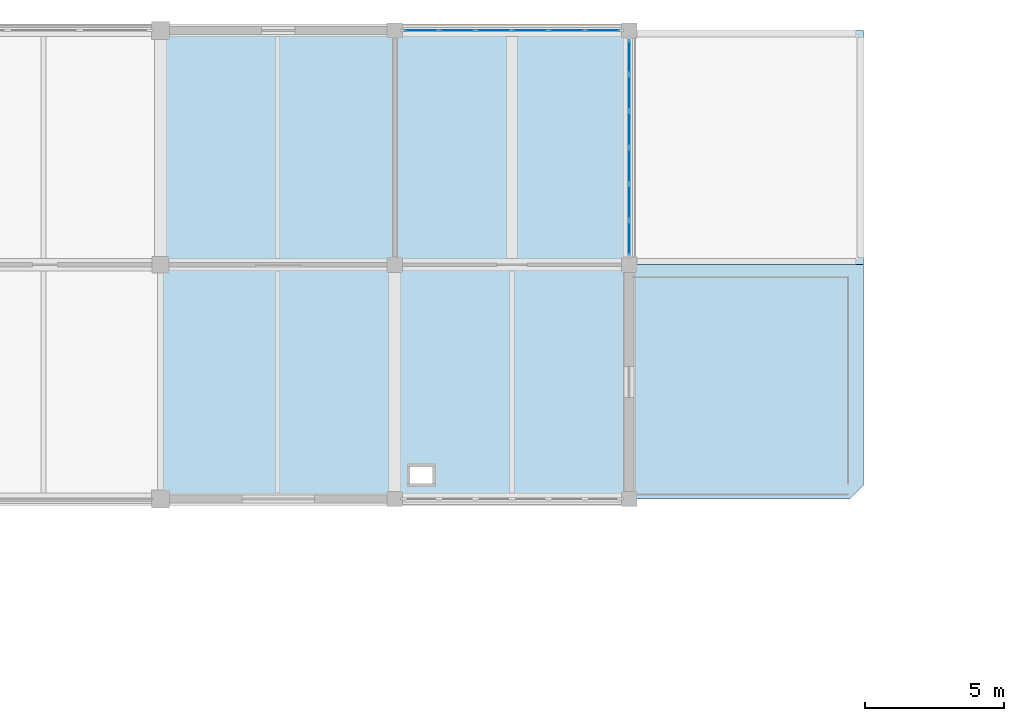
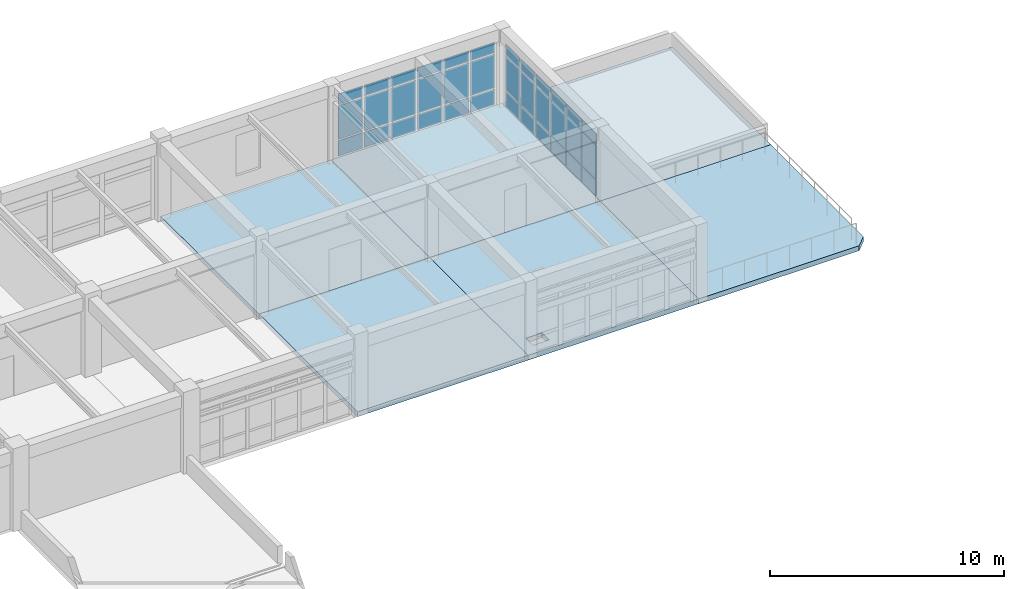
# One storey, part 59 of 74: 36 plates, 6 slabs, 2 elements without a shape of their own.
"""IFC4 building model written with IfcOpenShell, lengths in metres."""

from ifc_helpers import new_model, si_unit, direction, frame, origin, origin_2d, place, context, subcontext, project, spatial, polyline, rectangle, outline, extrude, material, layer, layer_set, type_object, element, aggregate, save


model = new_model("IFC4")

# Units and contexts
model_context = context("Model", 3, precision=1e-05, world=origin(), true_north=direction((0.0, 1.0)))
body_context = subcontext(model_context, "Body", "Model", "MODEL_VIEW")
ifc_project = project(units=[si_unit("LENGTHUNIT", "METRE"), si_unit("AREAUNIT", "SQUARE_METRE"), si_unit("VOLUMEUNIT", "CUBIC_METRE"), si_unit("PLANEANGLEUNIT", "RADIAN"), si_unit("MASSUNIT", "GRAM", prefix="KILO")], contexts=[model_context])

# Site, building, storey
site_placement = place(None, origin())
site = spatial("IfcSite", under=ifc_project, at=site_placement, CompositionType="ELEMENT")
building_placement = place(site_placement, origin())
building = spatial("IfcBuilding", under=site, at=building_placement, Name="Porcellanite Civic Hall", CompositionType="ELEMENT")
storey_placement = place(building_placement, frame((0.0, 0.0, 14.760009765625)))
storey = spatial("IfcBuildingStorey", under=building, at=storey_placement, Name="L03", CompositionType="ELEMENT", Elevation=14.760009765625)

# Curtain wall, plates
ifc_material_1 = material(Name="Anodised aluminium and solar laminated glass", Category="aluminium")
ifc_layer_1 = layer(ifc_material_1, 0.179931640625)
ifc_layer_set_1 = layer_set([ifc_layer_1], Name="Anodised aluminium and solar laminated glass")
curtain_wall_type = type_object("IfcCurtainWallType", Name="CW-SYS02", PredefinedType="NOTDEFINED", material=ifc_layer_set_1)
curtain_wall_1_placement = place(storey_placement, origin())
curtain_wall_1 = element("IfcCurtainWall", 1, at=curtain_wall_1_placement, inside=storey, type_object=curtain_wall_type, Name="Curtain wall CW-225", PredefinedType="NOTDEFINED")
ifc_material_2 = material(Name="Cyclone laminated solar-control low-E glass", Category="glass")
ifc_layer_2 = layer(ifc_material_2, 0.02587890625)
ifc_layer_set_2 = layer_set([ifc_layer_2], Name="Cyclone laminated solar-control low-E glass")
plate_type = type_object("IfcPlateType", Name="CWP-02", PredefinedType="CURTAIN_PANEL", material=ifc_layer_set_2)
plate_1_placement = place(storey_placement, frame((143.748779296875, 117.60009765625, 0.06494140625), z_axis=(0.0, 0.0, 1.0), x_axis=(1.0, 0.0, 0.0)))
plate_1 = element("IfcPlate", 2, at=plate_1_placement, type_object=plate_type, Name="CW-225 panel 1.1", PredefinedType="CURTAIN_PANEL", context=body_context, shape_type="SweptSolid", body=[
    extrude(rectangle(XDim=1.195556640625, YDim=0.02587890625, at=origin_2d()), origin(), (0.0, 0.0, 1.0), 0.802490234375),
])
plate_2_placement = place(storey_placement, frame((143.748779296875, 117.60009765625, 0.9326171875), z_axis=(0.0, 0.0, 1.0), x_axis=(1.0, 0.0, 0.0)))
plate_2 = element("IfcPlate", 3, at=plate_2_placement, type_object=plate_type, Name="CW-225 panel 1.2", PredefinedType="CURTAIN_PANEL", context=body_context, shape_type="SweptSolid", body=[
    extrude(rectangle(XDim=1.195556640625, YDim=0.02587890625, at=origin_2d()), origin(), (0.0, 0.0, 1.0), 1.7548828125),
])
plate_3_placement = place(storey_placement, frame((143.748779296875, 117.60009765625, 2.75244140625), z_axis=(0.0, 0.0, 1.0), x_axis=(1.0, 0.0, 0.0)))
plate_3 = element("IfcPlate", 4, at=plate_3_placement, type_object=plate_type, Name="CW-225 panel 1.3", PredefinedType="CURTAIN_PANEL", context=body_context, shape_type="SweptSolid", body=[
    extrude(rectangle(XDim=1.195556640625, YDim=0.02587890625, at=origin_2d()), origin(), (0.0, 0.0, 1.0), 0.552490234375),
])
plate_4_placement = place(storey_placement, frame((145.0380859375, 117.60009765625, 0.06494140625), z_axis=(0.0, 0.0, 1.0), x_axis=(1.0, 0.0, 0.0)))
plate_4 = element("IfcPlate", 5, at=plate_4_placement, type_object=plate_type, Name="CW-225 panel 2.1", PredefinedType="CURTAIN_PANEL", context=body_context, shape_type="SweptSolid", body=[
    extrude(rectangle(XDim=1.23291015625, YDim=0.02587890625, at=origin_2d()), origin(), (0.0, 0.0, 1.0), 0.802490234375),
])
plate_5_placement = place(storey_placement, frame((145.0380859375, 117.60009765625, 0.9326171875), z_axis=(0.0, 0.0, 1.0), x_axis=(1.0, 0.0, 0.0)))
plate_5 = element("IfcPlate", 6, at=plate_5_placement, type_object=plate_type, Name="CW-225 panel 2.2", PredefinedType="CURTAIN_PANEL", context=body_context, shape_type="SweptSolid", body=[
    extrude(rectangle(XDim=1.23291015625, YDim=0.02587890625, at=origin_2d()), origin(), (0.0, 0.0, 1.0), 1.7548828125),
])
plate_6_placement = place(storey_placement, frame((145.0380859375, 117.60009765625, 2.75244140625), z_axis=(0.0, 0.0, 1.0), x_axis=(1.0, 0.0, 0.0)))
plate_6 = element("IfcPlate", 7, at=plate_6_placement, type_object=plate_type, Name="CW-225 panel 2.3", PredefinedType="CURTAIN_PANEL", context=body_context, shape_type="SweptSolid", body=[
    extrude(rectangle(XDim=1.23291015625, YDim=0.02587890625, at=origin_2d()), origin(), (0.0, 0.0, 1.0), 0.552490234375),
])
plate_7_placement = place(storey_placement, frame((146.345947265625, 117.60009765625, 0.06494140625), z_axis=(0.0, 0.0, 1.0), x_axis=(1.0, 0.0, 0.0)))
plate_7 = element("IfcPlate", 8, at=plate_7_placement, type_object=plate_type, Name="CW-225 panel 3.1", PredefinedType="CURTAIN_PANEL", context=body_context, shape_type="SweptSolid", body=[
    extrude(rectangle(XDim=1.23291015625, YDim=0.02587890625, at=origin_2d()), origin(), (0.0, 0.0, 1.0), 0.802490234375),
])
plate_8_placement = place(storey_placement, frame((146.345947265625, 117.60009765625, 0.9326171875), z_axis=(0.0, 0.0, 1.0), x_axis=(1.0, 0.0, 0.0)))
plate_8 = element("IfcPlate", 9, at=plate_8_placement, type_object=plate_type, Name="CW-225 panel 3.2", PredefinedType="CURTAIN_PANEL", context=body_context, shape_type="SweptSolid", body=[
    extrude(rectangle(XDim=1.23291015625, YDim=0.02587890625, at=origin_2d()), origin(), (0.0, 0.0, 1.0), 1.7548828125),
])
plate_9_placement = place(storey_placement, frame((146.345947265625, 117.60009765625, 2.75244140625), z_axis=(0.0, 0.0, 1.0), x_axis=(1.0, 0.0, 0.0)))
plate_9 = element("IfcPlate", 10, at=plate_9_placement, type_object=plate_type, Name="CW-225 panel 3.3", PredefinedType="CURTAIN_PANEL", context=body_context, shape_type="SweptSolid", body=[
    extrude(rectangle(XDim=1.23291015625, YDim=0.02587890625, at=origin_2d()), origin(), (0.0, 0.0, 1.0), 0.552490234375),
])
plate_10_placement = place(storey_placement, frame((147.654052734375, 117.60009765625, 0.06494140625), z_axis=(0.0, 0.0, 1.0), x_axis=(1.0, 0.0, 0.0)))
plate_10 = element("IfcPlate", 11, at=plate_10_placement, type_object=plate_type, Name="CW-225 panel 4.1", PredefinedType="CURTAIN_PANEL", context=body_context, shape_type="SweptSolid", body=[
    extrude(rectangle(XDim=1.23291015625, YDim=0.02587890625, at=origin_2d()), origin(), (0.0, 0.0, 1.0), 0.802490234375),
])
plate_11_placement = place(storey_placement, frame((147.654052734375, 117.60009765625, 0.9326171875), z_axis=(0.0, 0.0, 1.0), x_axis=(1.0, 0.0, 0.0)))
plate_11 = element("IfcPlate", 12, at=plate_11_placement, type_object=plate_type, Name="CW-225 panel 4.2", PredefinedType="CURTAIN_PANEL", context=body_context, shape_type="SweptSolid", body=[
    extrude(rectangle(XDim=1.23291015625, YDim=0.02587890625, at=origin_2d()), origin(), (0.0, 0.0, 1.0), 1.7548828125),
])
plate_12_placement = place(storey_placement, frame((147.654052734375, 117.60009765625, 2.75244140625), z_axis=(0.0, 0.0, 1.0), x_axis=(1.0, 0.0, 0.0)))
plate_12 = element("IfcPlate", 13, at=plate_12_placement, type_object=plate_type, Name="CW-225 panel 4.3", PredefinedType="CURTAIN_PANEL", context=body_context, shape_type="SweptSolid", body=[
    extrude(rectangle(XDim=1.23291015625, YDim=0.02587890625, at=origin_2d()), origin(), (0.0, 0.0, 1.0), 0.552490234375),
])
plate_13_placement = place(storey_placement, frame((148.9619140625, 117.60009765625, 0.06494140625), z_axis=(0.0, 0.0, 1.0), x_axis=(1.0, 0.0, 0.0)))
plate_13 = element("IfcPlate", 14, at=plate_13_placement, type_object=plate_type, Name="CW-225 panel 5.1", PredefinedType="CURTAIN_PANEL", context=body_context, shape_type="SweptSolid", body=[
    extrude(rectangle(XDim=1.23291015625, YDim=0.02587890625, at=origin_2d()), origin(), (0.0, 0.0, 1.0), 0.802490234375),
])
plate_14_placement = place(storey_placement, frame((148.9619140625, 117.60009765625, 0.9326171875), z_axis=(0.0, 0.0, 1.0), x_axis=(1.0, 0.0, 0.0)))
plate_14 = element("IfcPlate", 15, at=plate_14_placement, type_object=plate_type, Name="CW-225 panel 5.2", PredefinedType="CURTAIN_PANEL", context=body_context, shape_type="SweptSolid", body=[
    extrude(rectangle(XDim=1.23291015625, YDim=0.02587890625, at=origin_2d()), origin(), (0.0, 0.0, 1.0), 1.7548828125),
])
plate_15_placement = place(storey_placement, frame((148.9619140625, 117.60009765625, 2.75244140625), z_axis=(0.0, 0.0, 1.0), x_axis=(1.0, 0.0, 0.0)))
plate_15 = element("IfcPlate", 16, at=plate_15_placement, type_object=plate_type, Name="CW-225 panel 5.3", PredefinedType="CURTAIN_PANEL", context=body_context, shape_type="SweptSolid", body=[
    extrude(rectangle(XDim=1.23291015625, YDim=0.02587890625, at=origin_2d()), origin(), (0.0, 0.0, 1.0), 0.552490234375),
])
plate_16_placement = place(storey_placement, frame((150.251220703125, 117.60009765625, 0.06494140625), z_axis=(0.0, 0.0, 1.0), x_axis=(1.0, 0.0, 0.0)))
plate_16 = element("IfcPlate", 17, at=plate_16_placement, type_object=plate_type, Name="CW-225 panel 6.1", PredefinedType="CURTAIN_PANEL", context=body_context, shape_type="SweptSolid", body=[
    extrude(rectangle(XDim=1.195556640625, YDim=0.02587890625, at=origin_2d()), origin(), (0.0, 0.0, 1.0), 0.802490234375),
])
plate_17_placement = place(storey_placement, frame((150.251220703125, 117.60009765625, 0.9326171875), z_axis=(0.0, 0.0, 1.0), x_axis=(1.0, 0.0, 0.0)))
plate_17 = element("IfcPlate", 18, at=plate_17_placement, type_object=plate_type, Name="CW-225 panel 6.2", PredefinedType="CURTAIN_PANEL", context=body_context, shape_type="SweptSolid", body=[
    extrude(rectangle(XDim=1.195556640625, YDim=0.02587890625, at=origin_2d()), origin(), (0.0, 0.0, 1.0), 1.7548828125),
])
plate_18_placement = place(storey_placement, frame((150.251220703125, 117.60009765625, 2.75244140625), z_axis=(0.0, 0.0, 1.0), x_axis=(1.0, 0.0, 0.0)))
plate_18 = element("IfcPlate", 19, at=plate_18_placement, type_object=plate_type, Name="CW-225 panel 6.3", PredefinedType="CURTAIN_PANEL", context=body_context, shape_type="SweptSolid", body=[
    extrude(rectangle(XDim=1.195556640625, YDim=0.02587890625, at=origin_2d()), origin(), (0.0, 0.0, 1.0), 0.552490234375),
])
aggregate(curtain_wall_1, [plate_1, plate_2, plate_3, plate_4, plate_5, plate_6, plate_7, plate_8, plate_9, plate_10, plate_11, plate_12, plate_13, plate_14, plate_15, plate_16, plate_17, plate_18])

curtain_wall_2_placement = place(storey_placement, origin())
curtain_wall_2 = element("IfcCurtainWall", 20, at=curtain_wall_2_placement, inside=storey, type_object=curtain_wall_type, Name="Curtain wall CW-226", PredefinedType="NOTDEFINED")
plate_19_placement = place(storey_placement, frame((151.199951171875, 116.6513671875, 0.06494140625), z_axis=(0.0, 0.0, 1.0), x_axis=(0.0, -1.0, 0.0)))
plate_19 = element("IfcPlate", 21, at=plate_19_placement, type_object=plate_type, Name="CW-226 panel 1.1", PredefinedType="CURTAIN_PANEL", context=body_context, shape_type="SweptSolid", body=[
    extrude(rectangle(XDim=1.195556640625, YDim=0.02587890625, at=origin_2d()), origin(), (0.0, 0.0, 1.0), 0.802490234375),
])
plate_20_placement = place(storey_placement, frame((151.199951171875, 116.6513671875, 0.9326171875), z_axis=(0.0, 0.0, 1.0), x_axis=(0.0, -1.0, 0.0)))
plate_20 = element("IfcPlate", 22, at=plate_20_placement, type_object=plate_type, Name="CW-226 panel 1.2", PredefinedType="CURTAIN_PANEL", context=body_context, shape_type="SweptSolid", body=[
    extrude(rectangle(XDim=1.195556640625, YDim=0.02587890625, at=origin_2d()), origin(), (0.0, 0.0, 1.0), 1.7548828125),
])
plate_21_placement = place(storey_placement, frame((151.199951171875, 116.6513671875, 2.75244140625), z_axis=(0.0, 0.0, 1.0), x_axis=(0.0, -1.0, 0.0)))
plate_21 = element("IfcPlate", 23, at=plate_21_placement, type_object=plate_type, Name="CW-226 panel 1.3", PredefinedType="CURTAIN_PANEL", context=body_context, shape_type="SweptSolid", body=[
    extrude(rectangle(XDim=1.195556640625, YDim=0.02587890625, at=origin_2d()), origin(), (0.0, 0.0, 1.0), 0.552490234375),
])
plate_22_placement = place(storey_placement, frame((151.199951171875, 115.362060546875, 0.06494140625), z_axis=(0.0, 0.0, 1.0), x_axis=(0.0, -1.0, 0.0)))
plate_22 = element("IfcPlate", 24, at=plate_22_placement, type_object=plate_type, Name="CW-226 panel 2.1", PredefinedType="CURTAIN_PANEL", context=body_context, shape_type="SweptSolid", body=[
    extrude(rectangle(XDim=1.23291015625, YDim=0.02587890625, at=origin_2d()), origin(), (0.0, 0.0, 1.0), 0.802490234375),
])
plate_23_placement = place(storey_placement, frame((151.199951171875, 115.362060546875, 0.9326171875), z_axis=(0.0, 0.0, 1.0), x_axis=(0.0, -1.0, 0.0)))
plate_23 = element("IfcPlate", 25, at=plate_23_placement, type_object=plate_type, Name="CW-226 panel 2.2", PredefinedType="CURTAIN_PANEL", context=body_context, shape_type="SweptSolid", body=[
    extrude(rectangle(XDim=1.23291015625, YDim=0.02587890625, at=origin_2d()), origin(), (0.0, 0.0, 1.0), 1.7548828125),
])
plate_24_placement = place(storey_placement, frame((151.199951171875, 115.362060546875, 2.75244140625), z_axis=(0.0, 0.0, 1.0), x_axis=(0.0, -1.0, 0.0)))
plate_24 = element("IfcPlate", 26, at=plate_24_placement, type_object=plate_type, Name="CW-226 panel 2.3", PredefinedType="CURTAIN_PANEL", context=body_context, shape_type="SweptSolid", body=[
    extrude(rectangle(XDim=1.23291015625, YDim=0.02587890625, at=origin_2d()), origin(), (0.0, 0.0, 1.0), 0.552490234375),
])
plate_25_placement = place(storey_placement, frame((151.199951171875, 114.053955078125, 0.06494140625), z_axis=(0.0, 0.0, 1.0), x_axis=(0.0, -1.0, 0.0)))
plate_25 = element("IfcPlate", 27, at=plate_25_placement, type_object=plate_type, Name="CW-226 panel 3.1", PredefinedType="CURTAIN_PANEL", context=body_context, shape_type="SweptSolid", body=[
    extrude(rectangle(XDim=1.23291015625, YDim=0.02587890625, at=origin_2d()), origin(), (0.0, 0.0, 1.0), 0.802490234375),
])
plate_26_placement = place(storey_placement, frame((151.199951171875, 114.053955078125, 0.9326171875), z_axis=(0.0, 0.0, 1.0), x_axis=(0.0, -1.0, 0.0)))
plate_26 = element("IfcPlate", 28, at=plate_26_placement, type_object=plate_type, Name="CW-226 panel 3.2", PredefinedType="CURTAIN_PANEL", context=body_context, shape_type="SweptSolid", body=[
    extrude(rectangle(XDim=1.23291015625, YDim=0.02587890625, at=origin_2d()), origin(), (0.0, 0.0, 1.0), 1.7548828125),
])
plate_27_placement = place(storey_placement, frame((151.199951171875, 114.053955078125, 2.75244140625), z_axis=(0.0, 0.0, 1.0), x_axis=(0.0, -1.0, 0.0)))
plate_27 = element("IfcPlate", 29, at=plate_27_placement, type_object=plate_type, Name="CW-226 panel 3.3", PredefinedType="CURTAIN_PANEL", context=body_context, shape_type="SweptSolid", body=[
    extrude(rectangle(XDim=1.23291015625, YDim=0.02587890625, at=origin_2d()), origin(), (0.0, 0.0, 1.0), 0.552490234375),
])
plate_28_placement = place(storey_placement, frame((151.199951171875, 112.74609375, 0.06494140625), z_axis=(0.0, 0.0, 1.0), x_axis=(0.0, -1.0, 0.0)))
plate_28 = element("IfcPlate", 30, at=plate_28_placement, type_object=plate_type, Name="CW-226 panel 4.1", PredefinedType="CURTAIN_PANEL", context=body_context, shape_type="SweptSolid", body=[
    extrude(rectangle(XDim=1.23291015625, YDim=0.02587890625, at=origin_2d()), origin(), (0.0, 0.0, 1.0), 0.802490234375),
])
plate_29_placement = place(storey_placement, frame((151.199951171875, 112.74609375, 0.9326171875), z_axis=(0.0, 0.0, 1.0), x_axis=(0.0, -1.0, 0.0)))
plate_29 = element("IfcPlate", 31, at=plate_29_placement, type_object=plate_type, Name="CW-226 panel 4.2", PredefinedType="CURTAIN_PANEL", context=body_context, shape_type="SweptSolid", body=[
    extrude(rectangle(XDim=1.23291015625, YDim=0.02587890625, at=origin_2d()), origin(), (0.0, 0.0, 1.0), 1.7548828125),
])
plate_30_placement = place(storey_placement, frame((151.199951171875, 112.74609375, 2.75244140625), z_axis=(0.0, 0.0, 1.0), x_axis=(0.0, -1.0, 0.0)))
plate_30 = element("IfcPlate", 32, at=plate_30_placement, type_object=plate_type, Name="CW-226 panel 4.3", PredefinedType="CURTAIN_PANEL", context=body_context, shape_type="SweptSolid", body=[
    extrude(rectangle(XDim=1.23291015625, YDim=0.02587890625, at=origin_2d()), origin(), (0.0, 0.0, 1.0), 0.552490234375),
])
plate_31_placement = place(storey_placement, frame((151.199951171875, 111.43798828125, 0.06494140625), z_axis=(0.0, 0.0, 1.0), x_axis=(0.0, -1.0, 0.0)))
plate_31 = element("IfcPlate", 33, at=plate_31_placement, type_object=plate_type, Name="CW-226 panel 5.1", PredefinedType="CURTAIN_PANEL", context=body_context, shape_type="SweptSolid", body=[
    extrude(rectangle(XDim=1.23291015625, YDim=0.02587890625, at=origin_2d()), origin(), (0.0, 0.0, 1.0), 0.802490234375),
])
plate_32_placement = place(storey_placement, frame((151.199951171875, 111.43798828125, 0.9326171875), z_axis=(0.0, 0.0, 1.0), x_axis=(0.0, -1.0, 0.0)))
plate_32 = element("IfcPlate", 34, at=plate_32_placement, type_object=plate_type, Name="CW-226 panel 5.2", PredefinedType="CURTAIN_PANEL", context=body_context, shape_type="SweptSolid", body=[
    extrude(rectangle(XDim=1.23291015625, YDim=0.02587890625, at=origin_2d()), origin(), (0.0, 0.0, 1.0), 1.7548828125),
])
plate_33_placement = place(storey_placement, frame((151.199951171875, 111.43798828125, 2.75244140625), z_axis=(0.0, 0.0, 1.0), x_axis=(0.0, -1.0, 0.0)))
plate_33 = element("IfcPlate", 35, at=plate_33_placement, type_object=plate_type, Name="CW-226 panel 5.3", PredefinedType="CURTAIN_PANEL", context=body_context, shape_type="SweptSolid", body=[
    extrude(rectangle(XDim=1.23291015625, YDim=0.02587890625, at=origin_2d()), origin(), (0.0, 0.0, 1.0), 0.552490234375),
])
plate_34_placement = place(storey_placement, frame((151.199951171875, 110.148681640625, 0.06494140625), z_axis=(0.0, 0.0, 1.0), x_axis=(0.0, -1.0, 0.0)))
plate_34 = element("IfcPlate", 36, at=plate_34_placement, type_object=plate_type, Name="CW-226 panel 6.1", PredefinedType="CURTAIN_PANEL", context=body_context, shape_type="SweptSolid", body=[
    extrude(rectangle(XDim=1.195556640625, YDim=0.02587890625, at=origin_2d()), origin(), (0.0, 0.0, 1.0), 0.802490234375),
])
plate_35_placement = place(storey_placement, frame((151.199951171875, 110.148681640625, 0.9326171875), z_axis=(0.0, 0.0, 1.0), x_axis=(0.0, -1.0, 0.0)))
plate_35 = element("IfcPlate", 37, at=plate_35_placement, type_object=plate_type, Name="CW-226 panel 6.2", PredefinedType="CURTAIN_PANEL", context=body_context, shape_type="SweptSolid", body=[
    extrude(rectangle(XDim=1.195556640625, YDim=0.02587890625, at=origin_2d()), origin(), (0.0, 0.0, 1.0), 1.7548828125),
])
plate_36_placement = place(storey_placement, frame((151.199951171875, 110.148681640625, 2.75244140625), z_axis=(0.0, 0.0, 1.0), x_axis=(0.0, -1.0, 0.0)))
plate_36 = element("IfcPlate", 38, at=plate_36_placement, type_object=plate_type, Name="CW-226 panel 6.3", PredefinedType="CURTAIN_PANEL", context=body_context, shape_type="SweptSolid", body=[
    extrude(rectangle(XDim=1.195556640625, YDim=0.02587890625, at=origin_2d()), origin(), (0.0, 0.0, 1.0), 0.552490234375),
])
aggregate(curtain_wall_2, [plate_19, plate_20, plate_21, plate_22, plate_23, plate_24, plate_25, plate_26, plate_27, plate_28, plate_29, plate_30, plate_31, plate_32, plate_33, plate_34, plate_35, plate_36])

# Slabs
ifc_material_3 = material(Name="Concrete N40 (40 MPa)", Category="concrete")
ifc_layer_3 = layer(ifc_material_3, 0.25)
ifc_layer_set_3 = layer_set([ifc_layer_3], Name="Concrete N40 (40 MPa)")
slab_type_1 = type_object("IfcSlabType", Name="SL-FL250", PredefinedType="FLOOR", material=ifc_layer_set_3)
slab_1_placement = place(storey_placement, frame((0.0, 0.0, -0.25)))
element("IfcSlab", 39, at=slab_1_placement, inside=storey, type_object=slab_type_1, Name="Slab L03 bay 17-13", PredefinedType="FLOOR", context=body_context, shape_type="SweptSolid", body=[
    extrude(outline(polyline([(134.39990234375, 100.800048828125), (142.800048828125, 100.800048828125), (142.800048828125, 109.199951171875), (134.39990234375, 109.199951171875), (134.39990234375, 100.800048828125)])), origin(), (0.0, 0.0, 1.0), 0.25),
])
slab_2_placement = place(storey_placement, frame((0.0, 0.0, -0.25)))
element("IfcSlab", 40, at=slab_2_placement, inside=storey, type_object=slab_type_1, Name="Slab L03 bay 17-14", PredefinedType="FLOOR", context=body_context, shape_type="SweptSolid", body=[
    extrude(outline(polyline([(134.39990234375, 109.199951171875), (142.800048828125, 109.199951171875), (142.800048828125, 117.60009765625), (134.39990234375, 117.60009765625), (134.39990234375, 109.199951171875)])), origin(), (0.0, 0.0, 1.0), 0.25),
])
slab_3_placement = place(storey_placement, frame((0.0, 0.0, -0.25)))
element("IfcSlab", 41, at=slab_3_placement, inside=storey, type_object=slab_type_1, Name="Slab L03 bay 18-13", PredefinedType="FLOOR", context=body_context, shape_type="SweptSolid", body=[
    extrude(outline(polyline([(142.800048828125, 100.800048828125), (151.199951171875, 100.800048828125), (151.199951171875, 109.199951171875), (142.800048828125, 109.199951171875), (142.800048828125, 100.800048828125)]), holes=[polyline([(143.35009765625, 101.35009765625), (144.14990234375, 101.35009765625), (144.14990234375, 101.949951171875), (143.35009765625, 101.949951171875), (143.35009765625, 101.35009765625)])]), origin(), (0.0, 0.0, 1.0), 0.25),
])
ifc_material_4 = material(Name="Concrete N40 (40 MPa)", Category="concrete")
ifc_layer_4 = layer(ifc_material_4, 0.260009765625)
ifc_layer_set_4 = layer_set([ifc_layer_4], Name="Concrete N40 (40 MPa)")
slab_type_2 = type_object("IfcSlabType", Name="SL-FL260", PredefinedType="FLOOR", material=ifc_layer_set_4)
slab_4_placement = place(storey_placement, frame((0.0, 0.0, -0.260009765625)))
element("IfcSlab", 42, at=slab_4_placement, inside=storey, type_object=slab_type_2, Name="Slab L03 bay 18-14", PredefinedType="FLOOR", context=body_context, shape_type="SweptSolid", body=[
    extrude(outline(polyline([(142.800048828125, 109.199951171875), (151.199951171875, 109.199951171875), (151.199951171875, 117.60009765625), (142.800048828125, 117.60009765625), (142.800048828125, 109.199951171875)])), origin(), (0.0, 0.0, 1.0), 0.260009765625),
])
ifc_material_5 = material(Name="Concrete N40 (40 MPa)", Category="concrete")
ifc_layer_5 = layer(ifc_material_5, 0.260009765625)
ifc_layer_set_5 = layer_set([ifc_layer_5], Name="Concrete N40 (40 MPa)")
slab_type_3 = type_object("IfcSlabType", Name="SL-RF260", PredefinedType="ROOF", material=ifc_layer_set_5)
slab_5_placement = place(storey_placement, frame((0.0, 0.0, -0.260009765625)))
element("IfcSlab", 43, at=slab_5_placement, inside=storey, type_object=slab_type_3, Name="Roof slab L03 19-14", PredefinedType="ROOF", context=body_context, shape_type="SweptSolid", body=[
    extrude(outline(polyline([(151.199951171875, 109.199951171875), (159.60009765625, 109.199951171875), (159.60009765625, 117.60009765625), (151.199951171875, 117.60009765625), (151.199951171875, 109.199951171875)])), origin(), (0.0, 0.0, 1.0), 0.260009765625),
])
ifc_material_6 = material(Name="Concrete N40 (40 MPa)", Category="concrete")
ifc_layer_6 = layer(ifc_material_6, 0.260009765625)
ifc_layer_set_6 = layer_set([ifc_layer_6], Name="Concrete N40 (40 MPa)")
slab_type_4 = type_object("IfcSlabType", Name="SL-TER260", PredefinedType="FLOOR", material=ifc_layer_set_6)
slab_6_placement = place(storey_placement, frame((0.0, 0.0, -0.260009765625)))
element("IfcSlab", 44, at=slab_6_placement, inside=storey, type_object=slab_type_4, Name="Civic terrace slab L03 19-13", PredefinedType="FLOOR", context=body_context, shape_type="SweptSolid", body=[
    extrude(outline(polyline([(151.199951171875, 100.800048828125), (159.10009765625, 100.800048828125), (159.60009765625, 101.300048828125), (159.60009765625, 109.199951171875), (151.199951171875, 109.199951171875), (151.199951171875, 100.800048828125)])), origin(), (0.0, 0.0, 1.0), 0.260009765625),
])

save(model, "model.ifc")
